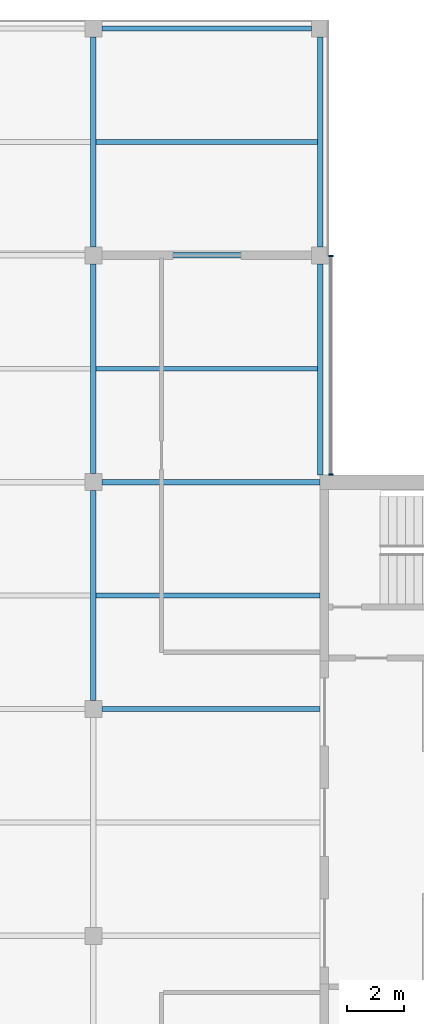
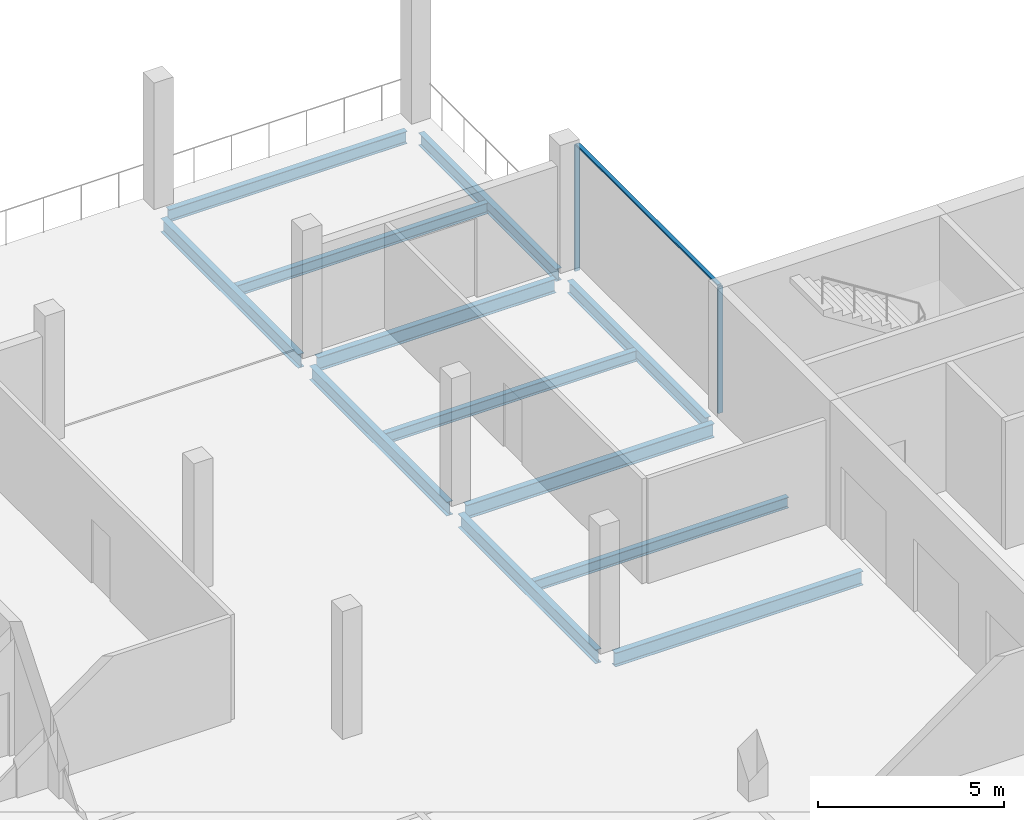
# One storey, part 6 of 12: 12 beams, 3 members, 1 element without a shape of its own.
"""IFC4 building model written with IfcOpenShell, lengths in metres."""

import ifcopenshell
import ifcopenshell.guid

model = None  # the IFC model being written
_history = None  # IfcOwnerHistory: only IFC2X3 demands one
_inside = {}  # id of a spatial element -> (the spatial element, [elements in it])
_under = {}  # id of a project, library or spatial element -> (it, [spatial elements below it])
_declared = {}  # id of a project -> (the project, [libraries it declares])
_typed = {}  # id of a type object -> (the type object, [elements of that type])
_made_of = {}  # id of a material, layer set ... -> (it, [elements and type objects made of it])


def new_model(schema):
    """Start an empty IFC model of exactly this schema.

    Asked for "IFC4X3", IfcOpenShell would pick the latest addendum, in which some entities
    have other attributes; the version numbers below select the first issue.
    IFC2X3 requires an IfcOwnerHistory on every rooted entity: one is made here for all.
    """
    global model, _history
    if schema == "IFC4X3":
        model = ifcopenshell.file(schema_version=(4, 3, 0, 0))
    else:
        model = ifcopenshell.file(schema=schema)
    _inside.clear()
    _under.clear()
    _declared.clear()
    _typed.clear()
    _made_of.clear()
    _history = None
    if model.schema == "IFC2X3":
        org = make("IfcOrganization", Name="unknown")
        user = make(
            "IfcPersonAndOrganization",
            ThePerson=make("IfcPerson", FamilyName="unknown"),
            TheOrganization=org,
        )
        app = make(
            "IfcApplication",
            ApplicationDeveloper=org,
            Version="unknown",
            ApplicationFullName="unknown",
            ApplicationIdentifier="unknown",
        )
        _history = make(
            "IfcOwnerHistory",
            OwningUser=user,
            OwningApplication=app,
            ChangeAction="ADDED",
            CreationDate=0,
        )
    return model


def make(cls, **values):
    """One entity of the class cls with the attributes given. An attribute that is None is left unset."""
    return model.create_entity(
        cls, **{name: value for name, value in values.items() if value is not None}
    )


def rooted(cls, **values):
    """An entity with a GlobalId (a new one), such as an element, a storey or a relation."""
    return make(cls, GlobalId=ifcopenshell.guid.new(), OwnerHistory=_history, **values)


def si_unit(unit_type, name, prefix=None):
    """IfcSIUnit, for example si_unit("LENGTHUNIT", "METRE", prefix="MILLI")."""
    return make("IfcSIUnit", UnitType=unit_type, Prefix=prefix, Name=name)


def assignment(units):
    """IfcUnitAssignment: the units of a project."""
    return None if units is None else make("IfcUnitAssignment", Units=units)


def point(xyz):
    """IfcCartesianPoint."""
    return None if xyz is None else make("IfcCartesianPoint", Coordinates=xyz)


def direction(xyz):
    """IfcDirection."""
    return None if xyz is None else make("IfcDirection", DirectionRatios=xyz)


def frame(location, z_axis=None, x_axis=None):
    """IfcAxis2Placement3D, a coordinate frame: its origin and axes. An axis left out is left unset."""
    return make(
        "IfcAxis2Placement3D",
        Location=point(location),
        Axis=direction(z_axis),
        RefDirection=direction(x_axis),
    )


def frame_2d(location, x_axis=None):
    """IfcAxis2Placement2D, a coordinate frame in the plane: its origin and x axis."""
    return make(
        "IfcAxis2Placement2D", Location=point(location), RefDirection=direction(x_axis)
    )


def origin():
    """The frame at (0, 0, 0) with its axes left unset."""
    return frame((0.0, 0.0, 0.0))


def origin_2d():
    """The frame at (0, 0) in the plane with its x axis left unset."""
    return frame_2d((0.0, 0.0))


def place(relative_to, where):
    """IfcLocalPlacement: puts the frame where relative to a parent placement (None: the world)."""
    return make(
        "IfcLocalPlacement", PlacementRelTo=relative_to, RelativePlacement=where
    )


def context(
    kind, dimensions, precision=None, world=None, true_north=None, identifier=None
):
    """IfcGeometricRepresentationContext, for example the 3D "Model" context."""
    return make(
        "IfcGeometricRepresentationContext",
        ContextIdentifier=identifier,
        ContextType=kind,
        CoordinateSpaceDimension=dimensions,
        Precision=precision,
        WorldCoordinateSystem=world,
        TrueNorth=true_north,
    )


def subcontext(parent, identifier, kind, view, scale=None):
    """IfcGeometricRepresentationSubContext, for example "Body" below "Model"."""
    return make(
        "IfcGeometricRepresentationSubContext",
        ContextIdentifier=identifier,
        ContextType=kind,
        ParentContext=parent,
        TargetScale=scale,
        TargetView=view,
    )


def project(units=None, contexts=None):
    """IfcProject with its units and contexts."""
    return rooted(
        "IfcProject",
        Name="project",
        RepresentationContexts=contexts,
        UnitsInContext=assignment(units),
    )


def spatial(cls, under=None, at=None, **own):
    """A site, building, storey or space (cls), placed at a placement, below another one or the project."""
    s = rooted(cls, ObjectPlacement=at, **own)
    if under is not None:
        _under.setdefault(under.id(), (under, []))[1].append(s)
    return s


def profile(cls, at=None, kind="AREA", **sizes):
    """A parametric profile (cls). Its sizes go by their IFC names, for example OverallWidth=200.0."""
    return make(cls, ProfileType=kind, Position=at, **sizes)


def rectangle(**sizes):
    """IfcRectangleProfileDef."""
    return profile("IfcRectangleProfileDef", **sizes)


def i_section(**sizes):
    """IfcIShapeProfileDef."""
    return profile("IfcIShapeProfileDef", **sizes)


def extrude(swept, where, along, depth):
    """IfcExtrudedAreaSolid: the profile swept, set in the frame where, extruded along a direction by depth."""
    return make(
        "IfcExtrudedAreaSolid",
        SweptArea=swept,
        Position=where,
        ExtrudedDirection=direction(along),
        Depth=depth,
    )


def shape(context_of_items, identifier, shape_type, items):
    """IfcShapeRepresentation: the items that make up one representation, for example the "Body"."""
    return make(
        "IfcShapeRepresentation",
        ContextOfItems=context_of_items,
        RepresentationIdentifier=identifier,
        RepresentationType=shape_type,
        Items=items,
    )


def material(Name=None, Category=None):
    """IfcMaterial."""
    return make("IfcMaterial", Name=Name, Category=Category)


def material_profile(
    of_material, cross_section, Name=None, Category=None, Priority=None
):
    """IfcMaterialProfile: a cross section and its material."""
    return make(
        "IfcMaterialProfile",
        Name=Name,
        Material=of_material,
        Profile=cross_section,
        Priority=Priority,
        Category=Category,
    )


def profile_set(profiles, Name=None, composite=None):
    """IfcMaterialProfileSet."""
    return make(
        "IfcMaterialProfileSet",
        Name=Name,
        MaterialProfiles=profiles,
        CompositeProfile=composite,
    )


def made_of(thing, what):
    """Note that an element or type object is made of a material, layer set ...; save() writes the relation."""
    if what is not None:
        _made_of.setdefault(what.id(), (what, []))[1].append(thing)
    return thing


def type_object(cls, material=None, **own):
    """A type object (cls), such as IfcWallType, which elements share."""
    return made_of(rooted(cls, **own), material)


def element(
    cls,
    number,
    at=None,
    inside=None,
    cuts=None,
    type_object=None,
    material=None,
    context=None,
    identifier="Body",
    shape_type=None,
    held_by="IfcProductDefinitionShape",
    body=None,
    shapes=None,
    **own,
):
    """One element of the class cls, such as IfcWall. Its Tag is "e" and its number.

    at: its placement. inside: the storey or other place that contains it. cuts: it is an
    opening in that element (IfcRelVoidsElement). A single representation is given by context,
    identifier, shape_type and body (its items); several are given by shapes. held_by: the class
    of the entity that holds the representations. save() writes the other relations.
    """
    e = rooted(cls, Tag="e%d" % number, ObjectPlacement=at, **own)
    if body is not None:
        shapes = [shape(context, identifier, shape_type, body)]
    if shapes is not None:
        e.Representation = make(held_by, Representations=shapes)
    if inside is not None:
        _inside.setdefault(inside.id(), (inside, []))[1].append(e)
    if cuts is not None:
        rooted(
            "IfcRelVoidsElement", RelatingBuildingElement=cuts, RelatedOpeningElement=e
        )
    if type_object is not None:
        _typed.setdefault(type_object.id(), (type_object, []))[1].append(e)
    return made_of(e, material)


def aggregate(whole, parts):
    """IfcRelAggregates: a whole, such as a stair, and the parts it consists of."""
    return rooted("IfcRelAggregates", RelatingObject=whole, RelatedObjects=parts)


def save(model, path):
    """Write the relations noted so far, then the file.

    IfcRelAggregates (storeys below a building ...), IfcRelContainedInSpatialStructure (elements
    in a storey), IfcRelDefinesByType, IfcRelAssociatesMaterial and IfcRelDeclares: one each for
    every whole, place, type object, material and project.
    """
    for whole, parts in _under.values():
        aggregate(whole, parts)
    for where, things in _inside.values():
        rooted(
            "IfcRelContainedInSpatialStructure",
            RelatedElements=things,
            RelatingStructure=where,
        )
    for kind, things in _typed.values():
        rooted("IfcRelDefinesByType", RelatedObjects=things, RelatingType=kind)
    for what, things in _made_of.values():
        rooted("IfcRelAssociatesMaterial", RelatedObjects=things, RelatingMaterial=what)
    for by, libraries in _declared.values():
        rooted("IfcRelDeclares", RelatingContext=by, RelatedDefinitions=libraries)
    model.write(path)


model = new_model("IFC4")

# Units and contexts
model_context = context("Model", 3, precision=1e-05, world=origin(), true_north=direction((0.0, 1.0)))
body_context = subcontext(model_context, "Body", "Model", "MODEL_VIEW")
ifc_project = project(units=[si_unit("LENGTHUNIT", "METRE"), si_unit("AREAUNIT", "SQUARE_METRE"), si_unit("VOLUMEUNIT", "CUBIC_METRE"), si_unit("PLANEANGLEUNIT", "RADIAN"), si_unit("MASSUNIT", "GRAM", prefix="KILO")], contexts=[model_context])

# Site, building, storey
site_placement = place(None, origin())
site = spatial("IfcSite", under=ifc_project, at=site_placement, CompositionType="ELEMENT")
building_placement = place(site_placement, origin())
building = spatial("IfcBuilding", under=site, at=building_placement, Name="Crosswind Convention Tower", CompositionType="ELEMENT")
storey_placement = place(building_placement, frame((0.0, 0.0, 323.89990234375)))
storey = spatial("IfcBuildingStorey", under=building, at=storey_placement, Name="L70", CompositionType="ELEMENT", Elevation=323.89990234375)

# Beams
ifc_material_1 = material(Name="Steel S355", Category="steel")
ifc_material_profile_1 = material_profile(ifc_material_1, i_section(OverallWidth=0.177734375, OverallDepth=0.406494140625, WebThickness=0.0078125, FlangeThickness=0.0126953125, FilletRadius=0.01025390625, at=origin_2d()), Name="UB 406x178x60")
ifc_profile_set_1 = profile_set([ifc_material_profile_1], Name="Steel S355")
beam_type_1 = type_object("IfcBeamType", Name="Edge beam UB 406x178x60", PredefinedType="SPANDREL", material=ifc_profile_set_1)
beam_1_placement = place(storey_placement, frame((129.300048828125, 128.0, -0.503173828125), z_axis=(1.0, 0.0, 0.0), x_axis=(0.0, 1.0, 0.0)))
element("IfcBeam", 1, at=beam_1_placement, inside=storey, type_object=beam_type_1, Name="B15 L70 edge beam 10", PredefinedType="SPANDREL", context=body_context, shape_type="SweptSolid", body=[
    extrude(i_section(OverallWidth=0.177734375, OverallDepth=0.406494140625, WebThickness=0.0078125, FlangeThickness=0.0126953125, FilletRadius=0.01025390625, at=origin_2d()), origin(), (0.0, 0.0, 1.0), 7.39990234375),
])
beam_2_placement = place(storey_placement, frame((137.0, 112.25, -0.503173828125), z_axis=(0.0, 1.0, 0.0), x_axis=(-1.0, 0.0, 0.0)))
element("IfcBeam", 2, at=beam_2_placement, inside=storey, type_object=beam_type_1, Name="B15 L70 edge beam 13", PredefinedType="SPANDREL", context=body_context, shape_type="SweptSolid", body=[
    extrude(i_section(OverallWidth=0.177734375, OverallDepth=0.406494140625, WebThickness=0.0078125, FlangeThickness=0.0126953125, FilletRadius=0.01025390625, at=origin_2d()), origin(), (0.0, 0.0, 1.0), 7.449951171875),
])
beam_3_placement = place(storey_placement, frame((137.0, 120.300048828125, -0.503173828125), z_axis=(0.0, 1.0, 0.0), x_axis=(-1.0, 0.0, 0.0)))
element("IfcBeam", 3, at=beam_3_placement, inside=storey, type_object=beam_type_1, Name="B15 L70 edge beam 14", PredefinedType="SPANDREL", context=body_context, shape_type="SweptSolid", body=[
    extrude(i_section(OverallWidth=0.177734375, OverallDepth=0.406494140625, WebThickness=0.0078125, FlangeThickness=0.0126953125, FilletRadius=0.01025390625, at=origin_2d()), origin(), (0.0, 0.0, 1.0), 7.39990234375),
])
ifc_material_profile_2 = material_profile(ifc_material_1, i_section(OverallWidth=0.18994140625, OverallDepth=0.45361328125, WebThickness=0.008544921875, FlangeThickness=0.0126953125, FilletRadius=0.01025390625, at=origin_2d()), Name="UB 457x191x67")
ifc_profile_set_2 = profile_set([ifc_material_profile_2], Name="Steel S355")
beam_type_2 = type_object("IfcBeamType", Name="Girder UB 457x191x67", PredefinedType="BEAM", material=ifc_profile_set_2)
for number, where, z_axis, x_axis, name in (
    (4, (129.0, 104.300048828125, -0.526611328125), (0.0, 1.0, 0.0), (-1.0, 0.0, 0.0), "B1 L70 girder 20"),
    (5, (129.0, 112.300048828125, -0.526611328125), (0.0, 1.0, 0.0), (-1.0, 0.0, 0.0), "B1 L70 girder 21"),
    (6, (129.0, 120.300048828125, -0.526611328125), (0.0, 1.0, 0.0), (-1.0, 0.0, 0.0), "B1 L70 girder 22"),
    (7, (129.300048828125, 120.0, -0.526611328125), (1.0, 0.0, 0.0), (0.0, 1.0, 0.0), "B1 L70 girder 24"),
):
    element("IfcBeam", number, at=place(storey_placement, frame(where, z_axis=z_axis, x_axis=x_axis)), inside=storey, type_object=beam_type_2, Name=name, PredefinedType="BEAM", context=body_context, shape_type="SweptSolid", body=[
        extrude(i_section(OverallWidth=0.18994140625, OverallDepth=0.45361328125, WebThickness=0.008544921875, FlangeThickness=0.0126953125, FilletRadius=0.01025390625, at=origin_2d()), origin(), (0.0, 0.0, 1.0), 7.39990234375),
    ])
ifc_material_profile_3 = material_profile(ifc_material_1, i_section(OverallWidth=0.1904296875, OverallDepth=0.457275390625, WebThickness=0.009033203125, FlangeThickness=0.014404296875, FilletRadius=0.01025390625, at=origin_2d()), Name="UB 457x191x75")
ifc_profile_set_3 = profile_set([ifc_material_profile_3], Name="Steel S355")
beam_type_3 = type_object("IfcBeamType", Name="Girder at core wall UB 457x191x75", PredefinedType="BEAM", material=ifc_profile_set_3)
for number, where, z_axis, x_axis, name in (
    (8, (129.300048828125, 104.0, -0.528564453125), (1.0, 0.0, 0.0), (0.0, 1.0, 0.0), "B22 L70 girder at core wall 7"),
    (9, (129.300048828125, 112.0, -0.528564453125), (1.0, 0.0, 0.0), (0.0, 1.0, 0.0), "B22 L70 girder at core wall 8"),
):
    element("IfcBeam", number, at=place(storey_placement, frame(where, z_axis=z_axis, x_axis=x_axis)), inside=storey, type_object=beam_type_3, Name=name, PredefinedType="BEAM", context=body_context, shape_type="SweptSolid", body=[
        extrude(i_section(OverallWidth=0.1904296875, OverallDepth=0.457275390625, WebThickness=0.009033203125, FlangeThickness=0.014404296875, FilletRadius=0.01025390625, at=origin_2d()), origin(), (0.0, 0.0, 1.0), 7.699951171875),
    ])

# Curtain wall, members
ifc_material_2 = material(Name="Aluminium unitised curtain wall", Category="aluminium")
curtain_wall_type = type_object("IfcCurtainWallType", Name="CORE END SLOT WALL 160", PredefinedType="USERDEFINED", material=ifc_material_2)
curtain_wall_placement = place(storey_placement, origin())
curtain_wall = element("IfcCurtainWall", 10, at=curtain_wall_placement, inside=storey, type_object=curtain_wall_type, Name="CW6 L70 N-E.1-1 slot", ObjectType="UNITISED", PredefinedType="USERDEFINED")
ifc_material_3 = material(Name="Aluminium mullion", Category="aluminium")
ifc_material_profile_4 = material_profile(ifc_material_3, rectangle(XDim=0.159912109375, YDim=0.050048828125, at=origin_2d()), Name="AL 160X50")
ifc_profile_set_4 = profile_set([ifc_material_profile_4], Name="Aluminium mullion")
member_type_1 = type_object("IfcMemberType", Name="MULLION 50X160", PredefinedType="MULLION", material=ifc_profile_set_4)
member_1_placement = place(storey_placement, frame((137.3798828125, 112.27490234375, -0.2998046875), z_axis=(0.0, 0.0, 1.0), x_axis=(1.0, 0.0, 0.0)))
member_1 = element("IfcMember", 11, at=member_1_placement, type_object=member_type_1, Name="CW6 mullion 1", PredefinedType="MULLION", context=body_context, shape_type="SweptSolid", body=[
    extrude(rectangle(XDim=0.159912109375, YDim=0.050048828125, at=origin_2d()), origin(), (0.0, 0.0, 1.0), 4.14990234375),
])
member_2_placement = place(storey_placement, frame((137.3798828125, 119.97509765625, -0.2998046875), z_axis=(0.0, 0.0, 1.0), x_axis=(1.0, 0.0, 0.0)))
member_2 = element("IfcMember", 12, at=member_2_placement, type_object=member_type_1, Name="CW6 mullion 2", PredefinedType="MULLION", context=body_context, shape_type="SweptSolid", body=[
    extrude(rectangle(XDim=0.159912109375, YDim=0.050048828125, at=origin_2d()), origin(), (0.0, 0.0, 1.0), 4.14990234375),
])

# Beams
ifc_material_profile_5 = material_profile(ifc_material_1, i_section(OverallWidth=0.17138671875, OverallDepth=0.355712890625, WebThickness=0.00732421875, FlangeThickness=0.011474609375, FilletRadius=0.01025390625, at=origin_2d()), Name="UB 356x171x51")
ifc_profile_set_5 = profile_set([ifc_material_profile_5], Name="Steel S355")
beam_type_4 = type_object("IfcBeamType", Name="Secondary beam UB 356x171x51", PredefinedType="JOIST", material=ifc_profile_set_5)
beam_4_placement = place(storey_placement, frame((129.094970703125, 108.0, -0.477783203125), z_axis=(1.0, 0.0, 0.0), x_axis=(0.0, 1.0, 0.0)))
element("IfcBeam", 13, at=beam_4_placement, inside=storey, type_object=beam_type_4, Name="B8 L70 secondary beam 19", PredefinedType="JOIST", context=body_context, shape_type="SweptSolid", body=[
    extrude(i_section(OverallWidth=0.17138671875, OverallDepth=0.355712890625, WebThickness=0.00732421875, FlangeThickness=0.011474609375, FilletRadius=0.01025390625, at=origin_2d()), origin(), (0.0, 0.0, 1.0), 7.905029296875),
])
for number, where, z_axis, x_axis, name in (
    (14, (129.094970703125, 116.0, -0.477783203125), (1.0, 0.0, 0.0), (0.0, 1.0, 0.0), "B8 L70 secondary beam 20"),
    (15, (129.094970703125, 124.0, -0.477783203125), (1.0, 0.0, 0.0), (0.0, 1.0, 0.0), "B8 L70 secondary beam 21"),
):
    element("IfcBeam", number, at=place(storey_placement, frame(where, z_axis=z_axis, x_axis=x_axis)), inside=storey, type_object=beam_type_4, Name=name, PredefinedType="JOIST", context=body_context, shape_type="SweptSolid", body=[
        extrude(i_section(OverallWidth=0.17138671875, OverallDepth=0.355712890625, WebThickness=0.00732421875, FlangeThickness=0.011474609375, FilletRadius=0.01025390625, at=origin_2d()), origin(), (0.0, 0.0, 1.0), 7.816162109375),
    ])

# Member
ifc_material_4 = material(Name="Aluminium transom", Category="aluminium")
ifc_material_profile_6 = material_profile(ifc_material_4, rectangle(XDim=0.1201171875, YDim=0.050048828125, at=origin_2d()), Name="AL 120X50")
ifc_profile_set_6 = profile_set([ifc_material_profile_6], Name="Aluminium transom")
member_type_2 = type_object("IfcMemberType", Name="TRANSOM 50X120", PredefinedType="USERDEFINED", material=ifc_profile_set_6)
member_3_placement = place(storey_placement, frame((137.3798828125, 112.300048828125, 3.875), z_axis=(0.0, 1.0, 0.0), x_axis=(-1.0, 0.0, 0.0)))
member_3 = element("IfcMember", 16, at=member_3_placement, type_object=member_type_2, Name="CW6 transom", ObjectType="TRANSOM", PredefinedType="USERDEFINED", context=body_context, shape_type="SweptSolid", body=[
    extrude(rectangle(XDim=0.1201171875, YDim=0.050048828125, at=origin_2d()), origin(), (0.0, 0.0, 1.0), 7.64990234375),
])

aggregate(curtain_wall, [member_1, member_2, member_3])

save(model, "model.ifc")
